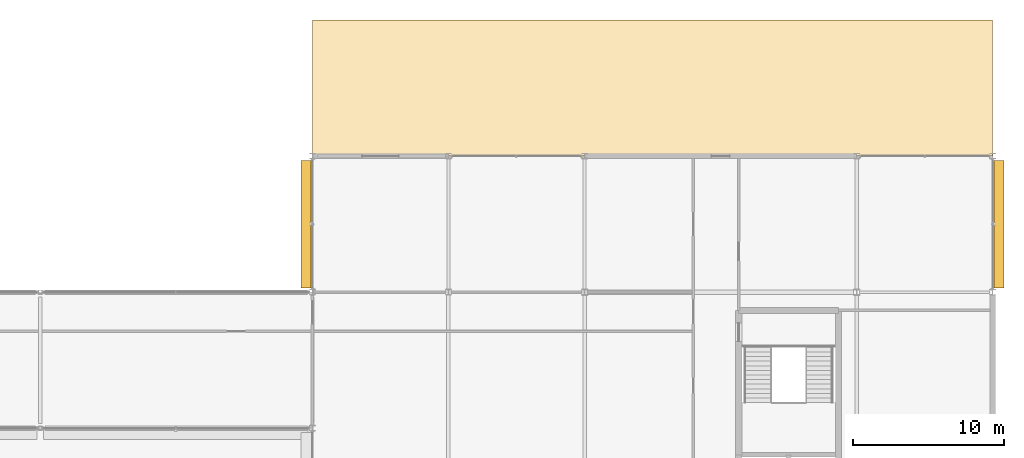
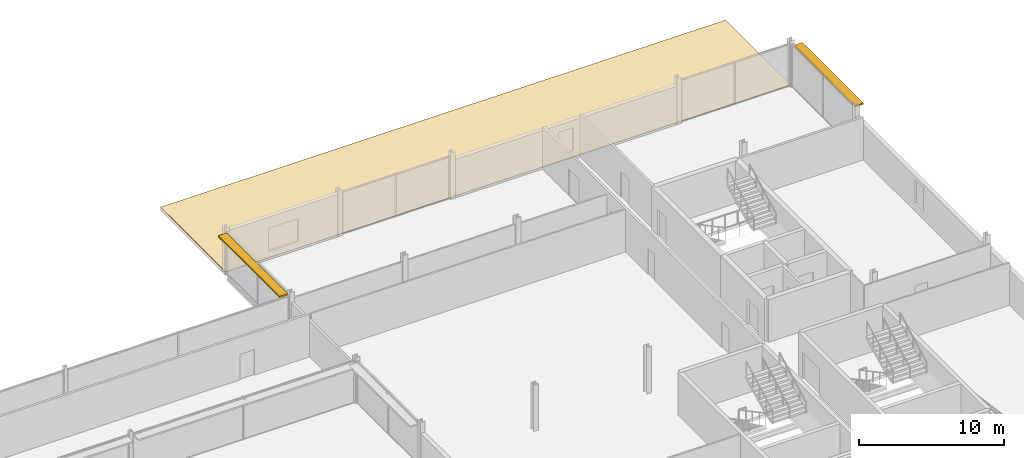
# One storey, part 104 of 105: 2 shading devices, 1 covering, 1 element without a shape of its own.
"""IFC4 building model written with IfcOpenShell, lengths in metres."""

from ifc_helpers import new_model, si_unit, direction, frame, origin, origin_2d, place, context, subcontext, project, spatial, polyline, rectangle, outline, extrude, material, layer, layer_set, type_object, element, aggregate, save


model = new_model("IFC4")

# Units and contexts
model_context = context("Model", 3, precision=1e-05, world=origin(), true_north=direction((0.0, 1.0)))
body_context = subcontext(model_context, "Body", "Model", "MODEL_VIEW")
ifc_project = project(units=[si_unit("LENGTHUNIT", "METRE"), si_unit("AREAUNIT", "SQUARE_METRE"), si_unit("VOLUMEUNIT", "CUBIC_METRE"), si_unit("PLANEANGLEUNIT", "RADIAN"), si_unit("MASSUNIT", "GRAM", prefix="KILO")], contexts=[model_context])

# Site, building, storey
site_placement = place(None, origin())
site = spatial("IfcSite", under=ifc_project, at=site_placement, CompositionType="ELEMENT")
building_placement = place(site_placement, origin())
building = spatial("IfcBuilding", under=site, at=building_placement, Name="Kisiwana Market Hall", CompositionType="ELEMENT")
storey_placement = place(building_placement, frame((0.0, 0.0, 21.60009765625)))
storey = spatial("IfcBuildingStorey", under=building, at=storey_placement, Name="L04", CompositionType="ELEMENT", Elevation=21.60009765625)

# Roof, covering
ifc_material_1 = material(Name="Concrete C32/40", Category="concrete")
ifc_layer_1 = layer(ifc_material_1, 0.22998046875)
ifc_layer_set_1 = layer_set([ifc_layer_1], Name="RF-CROWN-FLAT")
roof_type = type_object("IfcRoofType", Name="RF-CROWN-FLAT", PredefinedType="FLAT_ROOF", material=ifc_layer_set_1)
roof_placement = place(storey_placement, origin())
roof = element("IfcRoof", 1, at=roof_placement, inside=storey, type_object=roof_type, Name="Flat roof assembly RF-L03-EN", PredefinedType="FLAT_ROOF")
ifc_material_2 = material(Name="Aluminium alloy 3003 standing-seam sheet", Category="aluminium")
ifc_layer_2 = layer(ifc_material_2, 0.034912109375)
ifc_layer_set_2 = layer_set([ifc_layer_2], Name="COV-ROOF-SEAM")
covering_type = type_object("IfcCoveringType", Name="COV-ROOF-SEAM", PredefinedType="ROOFING", material=ifc_layer_set_2)
covering_placement = place(storey_placement, origin())
covering = element("IfcCovering", 2, at=covering_placement, type_object=covering_type, Name="Standing-seam roof membrane RF-L03-EN", PredefinedType="ROOFING", context=body_context, shape_type="SweptSolid", body=[
    extrude(outline(polyline([(153.0, 111.0), (198.0, 111.0), (198.0, 120.0), (153.0, 120.0), (153.0, 111.0)])), origin(), (0.0, 0.0, 1.0), 0.034912109375),
])
aggregate(roof, [covering])

# Shading devices
ifc_material_3 = material(Name="Aluminium alloy 6063-T6", Category="aluminium")
shading_device_type = type_object("IfcShadingDeviceType", Name="SHD-JALOUSIE-H", PredefinedType="JALOUSIE", material=ifc_material_3)
for number, where, z_axis, x_axis, name in (
    (3, (152.580078125, 106.5, 3.40478515625), (0.0, 0.0, 1.0), (0.0, 1.0, 0.0), "Aluminium brise-soleil louvre SHD-096 SD-096"),
    (4, (198.419921875, 106.5, 3.40478515625), (0.0, 0.0, 1.0), (0.0, 1.0, 0.0), "Aluminium brise-soleil louvre SHD-098 SD-098"),
):
    element("IfcShadingDevice", number, at=place(storey_placement, frame(where, z_axis=z_axis, x_axis=x_axis)), inside=storey, type_object=shading_device_type, Name=name, PredefinedType="JALOUSIE", context=body_context, shape_type="SweptSolid", body=[
        extrude(rectangle(XDim=8.431884765625, YDim=0.64990234375, at=origin_2d()), origin(), (0.0, 0.0, 1.0), 0.1201171875),
    ])

save(model, "model.ifc")
